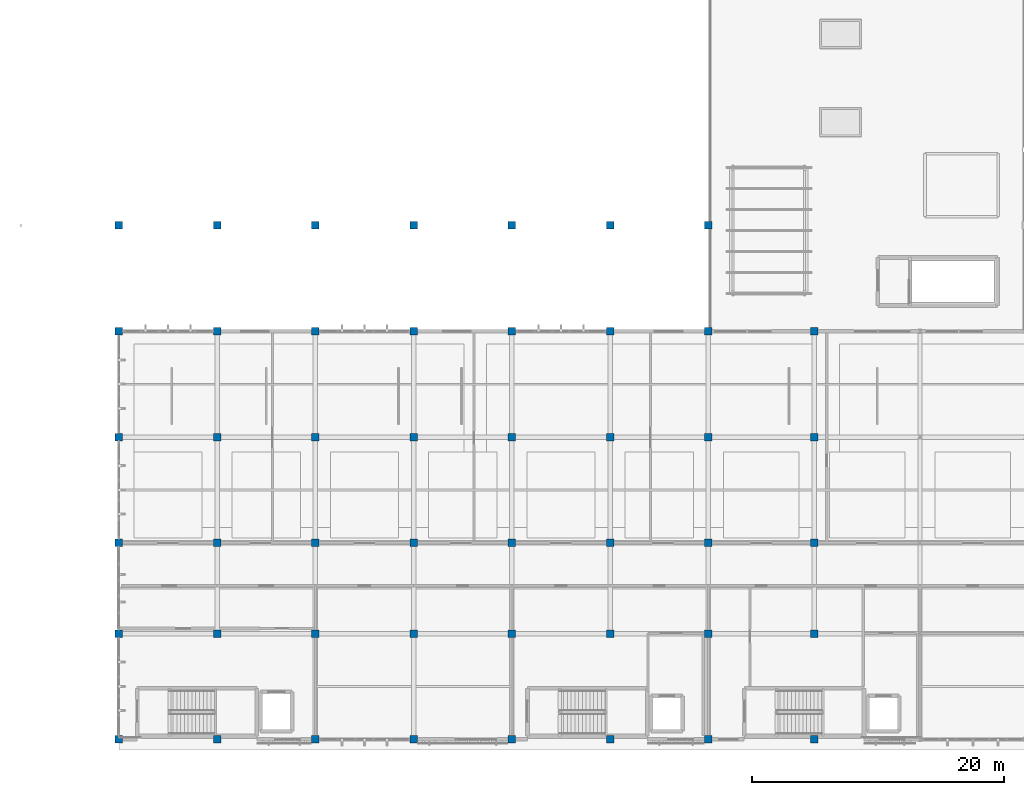
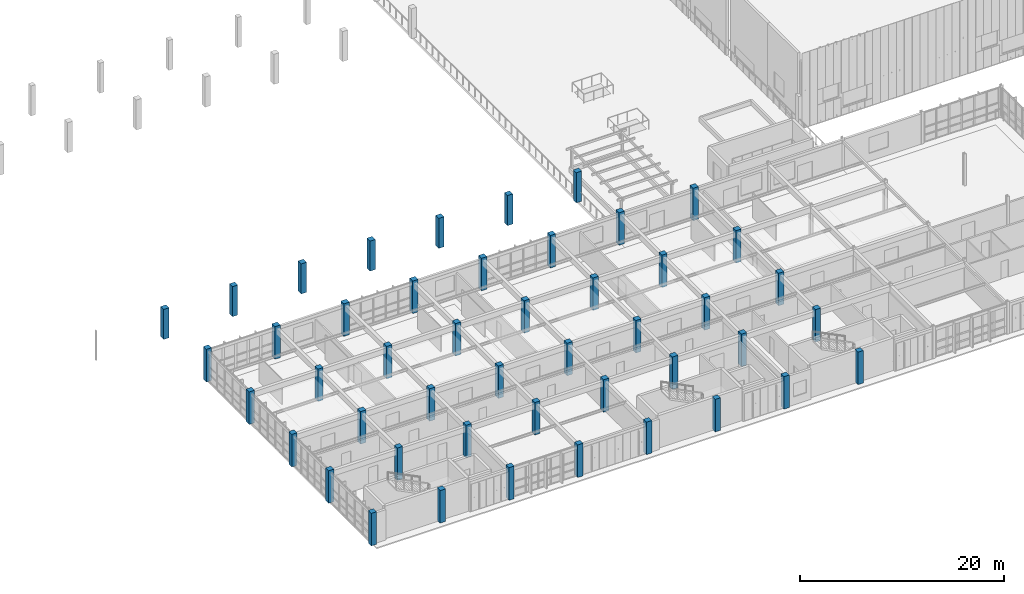
# One storey, part 1 of 67: 47 columns.
"""IFC4 building model written with IfcOpenShell, lengths in metres."""

from ifc_helpers import new_model, si_unit, direction, frame, origin, origin_2d, place, context, subcontext, project, spatial, rectangle, extrude, material, material_profile, profile_set, type_object, element, save


model = new_model("IFC4")

# Units and contexts
model_context = context("Model", 3, precision=1e-05, world=origin(), true_north=direction((0.0, 1.0)))
body_context = subcontext(model_context, "Body", "Model", "MODEL_VIEW")
ifc_project = project(units=[si_unit("LENGTHUNIT", "METRE"), si_unit("AREAUNIT", "SQUARE_METRE"), si_unit("VOLUMEUNIT", "CUBIC_METRE"), si_unit("PLANEANGLEUNIT", "RADIAN"), si_unit("MASSUNIT", "GRAM", prefix="KILO")], contexts=[model_context])

# Site, building, storey
site_placement = place(None, origin())
site = spatial("IfcSite", under=ifc_project, at=site_placement, CompositionType="ELEMENT")
building_placement = place(site_placement, origin())
building = spatial("IfcBuilding", under=site, at=building_placement, Name="Tizgana Railside Sports Hall", CompositionType="ELEMENT")
storey_placement = place(building_placement, frame((0.0, 0.0, 12.0)))
storey = spatial("IfcBuildingStorey", under=building, at=storey_placement, Name="L02", CompositionType="ELEMENT", Elevation=12.0)

# Columns
ifc_material = material(Name="Concrete C40/50", Category="concrete")
ifc_material_profile = material_profile(ifc_material, rectangle(XDim=0.60009765625, YDim=0.60009765625, at=origin_2d()), Name="RC 600x600")
ifc_profile_set = profile_set([ifc_material_profile], Name="Concrete C40/50")
column_type = type_object("IfcColumnType", Name="Concrete Column RC 600x600", PredefinedType="COLUMN", material=ifc_profile_set)
for number, where, z_axis, x_axis, name in (
    (1, (7.800048828125, 40.800048828125, 0.0), (0.0, 0.0, 1.0), (1.0, 0.0, 0.0), "L02 COL-0008"),
    (2, (15.60009765625, 40.800048828125, 0.0), (0.0, 0.0, 1.0), (1.0, 0.0, 0.0), "L02 COL-0032"),
    (3, (23.39990234375, 40.800048828125, 0.0), (0.0, 0.0, 1.0), (1.0, 0.0, 0.0), "L02 COL-0056"),
    (4, (31.199951171875, 40.800048828125, 0.0), (0.0, 0.0, 1.0), (1.0, 0.0, 0.0), "L02 COL-0080"),
    (5, (39.0, 40.800048828125, 0.0), (0.0, 0.0, 1.0), (1.0, 0.0, 0.0), "L02 COL-0104"),
    (6, (46.800048828125, 40.800048828125, 0.0), (0.0, 0.0, 1.0), (1.0, 0.0, 0.0), "L02 COL-0128"),
    (7, (54.60009765625, 40.800048828125, 0.0), (0.0, 0.0, 1.0), (1.0, 0.0, 0.0), "L02 COL-0152"),
):
    element("IfcColumn", number, at=place(storey_placement, frame(where, z_axis=z_axis, x_axis=x_axis)), inside=storey, type_object=column_type, Name=name, PredefinedType="COLUMN", context=body_context, shape_type="SweptSolid", body=[
        extrude(rectangle(XDim=0.60009765625, YDim=0.60009765625, at=origin_2d()), origin(), (0.0, 0.0, 1.0), 3.60009765625),
    ])
for number, where, z_axis, x_axis, name in (
    (8, (7.800048828125, 0.0, 0.0), (0.0, 0.0, 1.0), (1.0, 0.0, 0.0), "L02 COL-0536"),
    (9, (7.800048828125, 8.39990234375, 0.0), (0.0, 0.0, 1.0), (1.0, 0.0, 0.0), "L02 COL-0543"),
    (10, (7.800048828125, 15.60009765625, 0.0), (0.0, 0.0, 1.0), (1.0, 0.0, 0.0), "L02 COL-0550"),
    (11, (7.800048828125, 24.0, 0.0), (0.0, 0.0, 1.0), (1.0, 0.0, 0.0), "L02 COL-0557"),
    (12, (7.800048828125, 32.39990234375, 0.0), (0.0, 0.0, 1.0), (1.0, 0.0, 0.0), "L02 COL-0563"),
    (13, (15.60009765625, 0.0, 0.0), (0.0, 0.0, 1.0), (1.0, 0.0, 0.0), "L02 COL-0569"),
    (14, (15.60009765625, 8.39990234375, 0.0), (0.0, 0.0, 1.0), (1.0, 0.0, 0.0), "L02 COL-0576"),
    (15, (15.60009765625, 15.60009765625, 0.0), (0.0, 0.0, 1.0), (1.0, 0.0, 0.0), "L02 COL-0583"),
    (16, (15.60009765625, 24.0, 0.0), (0.0, 0.0, 1.0), (1.0, 0.0, 0.0), "L02 COL-0590"),
    (17, (15.60009765625, 32.39990234375, 0.0), (0.0, 0.0, 1.0), (1.0, 0.0, 0.0), "L02 COL-0596"),
    (18, (23.39990234375, 0.0, 0.0), (0.0, 0.0, 1.0), (1.0, 0.0, 0.0), "L02 COL-0602"),
    (19, (23.39990234375, 8.39990234375, 0.0), (0.0, 0.0, 1.0), (1.0, 0.0, 0.0), "L02 COL-0609"),
    (20, (23.39990234375, 15.60009765625, 0.0), (0.0, 0.0, 1.0), (1.0, 0.0, 0.0), "L02 COL-0616"),
    (21, (23.39990234375, 24.0, 0.0), (0.0, 0.0, 1.0), (1.0, 0.0, 0.0), "L02 COL-0623"),
    (22, (23.39990234375, 32.39990234375, 0.0), (0.0, 0.0, 1.0), (1.0, 0.0, 0.0), "L02 COL-0629"),
    (23, (31.199951171875, 0.0, 0.0), (0.0, 0.0, 1.0), (1.0, 0.0, 0.0), "L02 COL-0635"),
    (24, (31.199951171875, 8.39990234375, 0.0), (0.0, 0.0, 1.0), (1.0, 0.0, 0.0), "L02 COL-0641"),
    (25, (31.199951171875, 15.60009765625, 0.0), (0.0, 0.0, 1.0), (1.0, 0.0, 0.0), "L02 COL-0647"),
    (26, (31.199951171875, 24.0, 0.0), (0.0, 0.0, 1.0), (1.0, 0.0, 0.0), "L02 COL-0653"),
    (27, (31.199951171875, 32.39990234375, 0.0), (0.0, 0.0, 1.0), (1.0, 0.0, 0.0), "L02 COL-0659"),
    (28, (39.0, 0.0, 0.0), (0.0, 0.0, 1.0), (1.0, 0.0, 0.0), "L02 COL-0665"),
    (29, (39.0, 8.39990234375, 0.0), (0.0, 0.0, 1.0), (1.0, 0.0, 0.0), "L02 COL-0671"),
    (30, (39.0, 15.60009765625, 0.0), (0.0, 0.0, 1.0), (1.0, 0.0, 0.0), "L02 COL-0677"),
    (31, (39.0, 24.0, 0.0), (0.0, 0.0, 1.0), (1.0, 0.0, 0.0), "L02 COL-0683"),
    (32, (39.0, 32.39990234375, 0.0), (0.0, 0.0, 1.0), (1.0, 0.0, 0.0), "L02 COL-0689"),
    (33, (46.800048828125, 0.0, 0.0), (0.0, 0.0, 1.0), (1.0, 0.0, 0.0), "L02 COL-0695"),
    (34, (46.800048828125, 8.39990234375, 0.0), (0.0, 0.0, 1.0), (1.0, 0.0, 0.0), "L02 COL-0701"),
    (35, (46.800048828125, 15.60009765625, 0.0), (0.0, 0.0, 1.0), (1.0, 0.0, 0.0), "L02 COL-0707"),
    (36, (46.800048828125, 24.0, 0.0), (0.0, 0.0, 1.0), (1.0, 0.0, 0.0), "L02 COL-0713"),
    (37, (46.800048828125, 32.39990234375, 0.0), (0.0, 0.0, 1.0), (1.0, 0.0, 0.0), "L02 COL-0719"),
    (38, (54.60009765625, 0.0, 0.0), (0.0, 0.0, 1.0), (1.0, 0.0, 0.0), "L02 COL-0725"),
    (39, (54.60009765625, 8.39990234375, 0.0), (0.0, 0.0, 1.0), (1.0, 0.0, 0.0), "L02 COL-0731"),
    (40, (54.60009765625, 15.60009765625, 0.0), (0.0, 0.0, 1.0), (1.0, 0.0, 0.0), "L02 COL-0737"),
    (41, (54.60009765625, 24.0, 0.0), (0.0, 0.0, 1.0), (1.0, 0.0, 0.0), "L02 COL-0743"),
    (42, (54.60009765625, 32.39990234375, 0.0), (0.0, 0.0, 1.0), (1.0, 0.0, 0.0), "L02 COL-0746"),
    (43, (63.0, 0.0, 0.0), (0.0, 0.0, 1.0), (1.0, 0.0, 0.0), "L02 COL-0752"),
    (44, (63.0, 8.39990234375, 0.0), (0.0, 0.0, 1.0), (1.0, 0.0, 0.0), "L02 COL-0758"),
    (45, (63.0, 15.60009765625, 0.0), (0.0, 0.0, 1.0), (1.0, 0.0, 0.0), "L02 COL-0764"),
    (46, (63.0, 24.0, 0.0), (0.0, 0.0, 1.0), (1.0, 0.0, 0.0), "L02 COL-0770"),
    (47, (63.0, 32.39990234375, 0.0), (0.0, 0.0, 1.0), (1.0, 0.0, 0.0), "L02 COL-0773"),
):
    element("IfcColumn", number, at=place(storey_placement, frame(where, z_axis=z_axis, x_axis=x_axis)), inside=storey, type_object=column_type, Name=name, PredefinedType="COLUMN", context=body_context, shape_type="SweptSolid", body=[
        extrude(rectangle(XDim=0.60009765625, YDim=0.60009765625, at=origin_2d()), origin(), (0.0, 0.0, 1.0), 3.89990234375),
    ])

save(model, "model.ifc")
